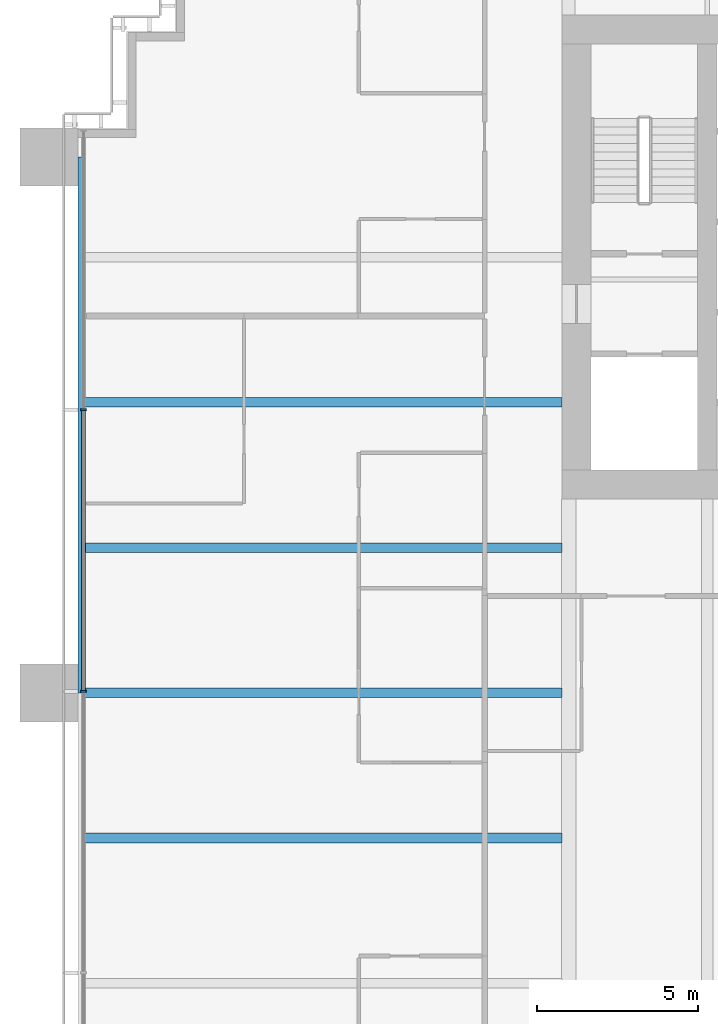
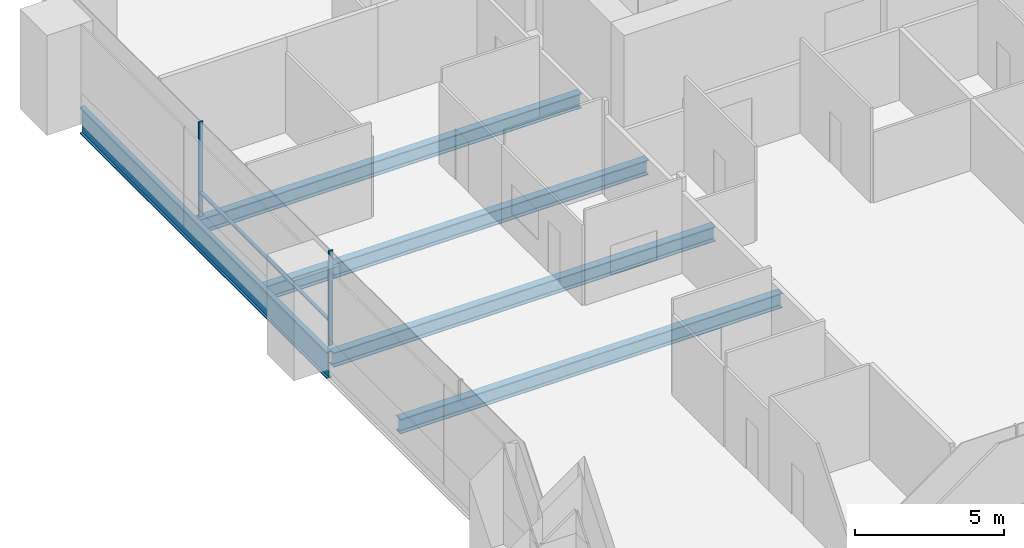
# One storey, part 4 of 20: 5 beams, 3 members, 1 element without a shape of its own.
"""IFC4 building model written with IfcOpenShell, lengths in metres."""

from ifc_helpers import new_model, si_unit, direction, frame, origin, origin_2d, place, context, subcontext, project, spatial, rectangle, i_section, extrude, material, material_profile, profile_set, type_object, element, aggregate, save


model = new_model("IFC4")

# Units and contexts
model_context = context("Model", 3, precision=1e-05, world=origin(), true_north=direction((0.0, 1.0)))
body_context = subcontext(model_context, "Body", "Model", "MODEL_VIEW")
ifc_project = project(units=[si_unit("LENGTHUNIT", "METRE"), si_unit("AREAUNIT", "SQUARE_METRE"), si_unit("VOLUMEUNIT", "CUBIC_METRE"), si_unit("PLANEANGLEUNIT", "RADIAN"), si_unit("MASSUNIT", "GRAM", prefix="KILO")], contexts=[model_context])

# Site, building, storey
site_placement = place(None, origin())
site = spatial("IfcSite", under=ifc_project, at=site_placement, CompositionType="ELEMENT")
building_placement = place(site_placement, origin())
building = spatial("IfcBuilding", under=site, at=building_placement, Name="Rattan Terrace Tower", CompositionType="ELEMENT")
storey_placement = place(building_placement, frame((0.0, 0.0, 40.60009765625)))
storey = spatial("IfcBuildingStorey", under=building, at=storey_placement, Name="L08", CompositionType="ELEMENT", Elevation=40.60009765625)

# Curtain wall, members
ifc_material_1 = material(Name="Aluminium and glass", Category="aluminium")
curtain_wall_type = type_object("IfcCurtainWallType", Name="Facade Unitised Curtain Wall", PredefinedType="NOTDEFINED", material=ifc_material_1)
curtain_wall_placement = place(storey_placement, origin())
curtain_wall = element("IfcCurtainWall", 1, at=curtain_wall_placement, inside=storey, type_object=curtain_wall_type, Name="Curtain wall L08-3", PredefinedType="NOTDEFINED")
ifc_material_2 = material(Name="Aluminium", Category="aluminium")
ifc_material_profile_1 = material_profile(ifc_material_2, rectangle(XDim=0.06005859375, YDim=0.159912109375, at=origin_2d()), Name="Aluminium 60x160")
ifc_profile_set_1 = profile_set([ifc_material_profile_1], Name="Aluminium")
member_type_1 = type_object("IfcMemberType", Name="Facade CW Mullion 60x160", PredefinedType="MULLION", material=ifc_profile_set_1)
member_1_placement = place(storey_placement, frame((-32.830078125, -4.72705078125, 0.0), z_axis=(0.0, 0.0, 1.0), x_axis=(0.0, -1.0, 0.0)))
member_1 = element("IfcMember", 2, at=member_1_placement, type_object=member_type_1, Name="Mullion cwl-L08-003.2", PredefinedType="MULLION", context=body_context, shape_type="SweptSolid", body=[
    extrude(rectangle(XDim=0.06005859375, YDim=0.159912109375, at=origin_2d()), origin(), (0.0, 0.0, 1.0), 3.89990234375),
])
member_2_placement = place(storey_placement, frame((-32.830078125, -13.4541015625, 0.0), z_axis=(0.0, 0.0, 1.0), x_axis=(0.0, -1.0, 0.0)))
member_2 = element("IfcMember", 3, at=member_2_placement, type_object=member_type_1, Name="Mullion cwl-L08-003.3", PredefinedType="MULLION", context=body_context, shape_type="SweptSolid", body=[
    extrude(rectangle(XDim=0.06005859375, YDim=0.159912109375, at=origin_2d()), origin(), (0.0, 0.0, 1.0), 3.89990234375),
])
ifc_material_3 = material(Name="Aluminium", Category="aluminium")
ifc_material_profile_2 = material_profile(ifc_material_3, rectangle(XDim=0.1201171875, YDim=0.06005859375, at=origin_2d()), Name="Aluminium 120x60")
ifc_profile_set_2 = profile_set([ifc_material_profile_2], Name="Aluminium")
member_type_2 = type_object("IfcMemberType", Name="Facade CW Transom 120x60", PredefinedType="USERDEFINED", material=ifc_profile_set_2)
member_3_placement = place(storey_placement, frame((-32.830078125, -4.757080078125, 1.0), z_axis=(0.0, -1.0, 0.0), x_axis=(1.0, 0.0, 0.0)))
member_3 = element("IfcMember", 4, at=member_3_placement, type_object=member_type_2, Name="Transom cwl-L08-003.2", ObjectType="TRANSOM", PredefinedType="USERDEFINED", context=body_context, shape_type="SweptSolid", body=[
    extrude(rectangle(XDim=0.1201171875, YDim=0.06005859375, at=origin_2d()), origin(), (0.0, 0.0, 1.0), 8.6669921875),
])
aggregate(curtain_wall, [member_1, member_2, member_3])

# Beams
ifc_material_4 = material(Name="Steel S460", Category="steel")
ifc_material_profile_3 = material_profile(ifc_material_4, i_section(OverallWidth=0.179931640625, OverallDepth=1.10009765625, WebThickness=0.01611328125, FlangeThickness=0.050048828125, at=origin_2d()), Name="PG 1100x180-16-50")
ifc_profile_set_3 = profile_set([ifc_material_profile_3], Name="Steel S460")
beam_type_1 = type_object("IfcBeamType", Name="Frame edge girder PG 1100x180-16-50", PredefinedType="SPANDREL", material=ifc_profile_set_3)
beam_placement = place(storey_placement, frame((-32.909912109375, 3.10009765625, -0.75), z_axis=(0.0, -1.0, 0.0), x_axis=(1.0, 0.0, 0.0)))
element("IfcBeam", 5, at=beam_placement, inside=storey, type_object=beam_type_1, Name="gdr-L08-008", PredefinedType="SPANDREL", context=body_context, shape_type="SweptSolid", body=[
    extrude(i_section(OverallWidth=0.179931640625, OverallDepth=1.10009765625, WebThickness=0.01611328125, FlangeThickness=0.050048828125, at=origin_2d()), origin(), (0.0, 0.0, 1.0), 16.60009765625),
])
ifc_material_5 = material(Name="Steel S355", Category="steel")
ifc_material_profile_4 = material_profile(ifc_material_5, i_section(OverallWidth=0.300048828125, OverallDepth=0.60009765625, WebThickness=0.015380859375, FlangeThickness=0.030029296875, FilletRadius=0.027099609375, at=origin_2d()), Name="HE 600 B")
ifc_profile_set_4 = profile_set([ifc_material_profile_4], Name="Steel S355")
beam_type_2 = type_object("IfcBeamType", Name="Frame floor beam HE 600 B", PredefinedType="JOIST", material=ifc_profile_set_4)
for number, where, z_axis, x_axis, name in (
    (6, (-32.820068359375, -18.0, -0.5), (1.0, 0.0, 0.0), (0.0, 1.0, 0.0), "bm-L08-014"),
    (7, (-32.820068359375, -13.5, -0.5), (1.0, 0.0, 0.0), (0.0, 1.0, 0.0), "bm-L08-016"),
    (8, (-32.820068359375, -9.0, -0.5), (1.0, 0.0, 0.0), (0.0, 1.0, 0.0), "bm-L08-018"),
    (9, (-32.820068359375, -4.5, -0.5), (1.0, 0.0, 0.0), (0.0, 1.0, 0.0), "bm-L08-020"),
):
    element("IfcBeam", number, at=place(storey_placement, frame(where, z_axis=z_axis, x_axis=x_axis)), inside=storey, type_object=beam_type_2, Name=name, PredefinedType="JOIST", context=body_context, shape_type="SweptSolid", body=[
        extrude(i_section(OverallWidth=0.300048828125, OverallDepth=0.60009765625, WebThickness=0.015380859375, FlangeThickness=0.030029296875, FilletRadius=0.027099609375, at=origin_2d()), origin(), (0.0, 0.0, 1.0), 14.820068359375),
    ])

save(model, "model.ifc")
